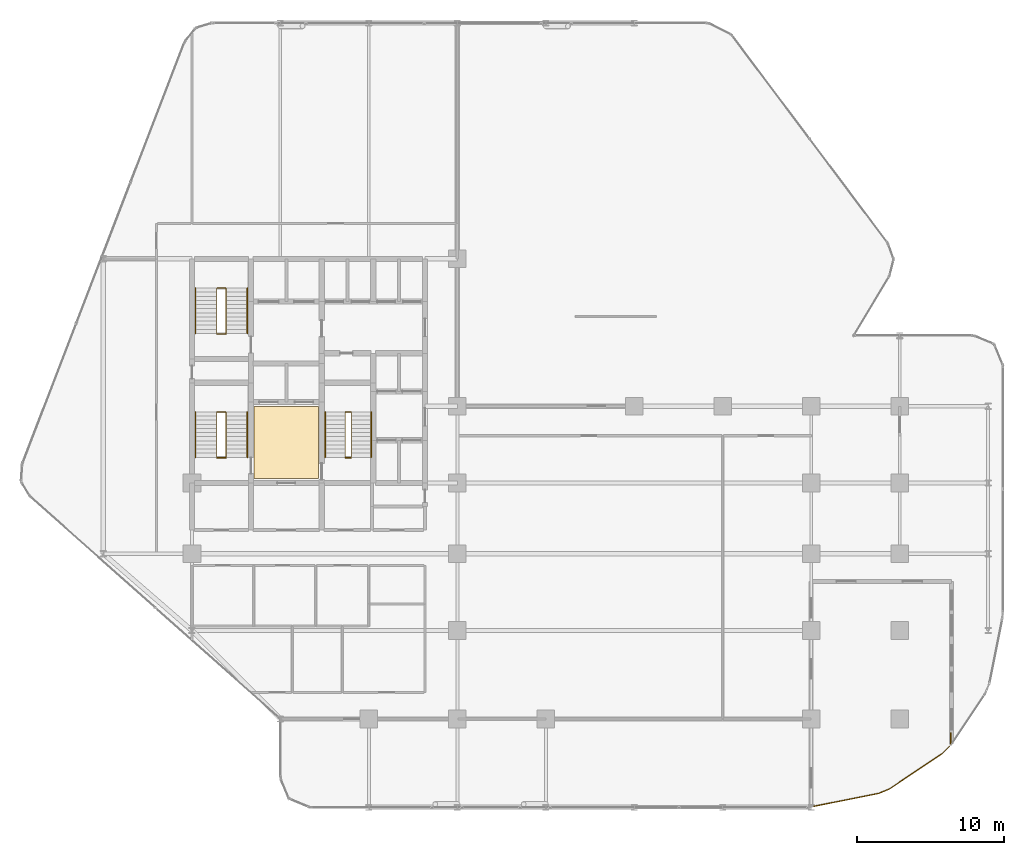
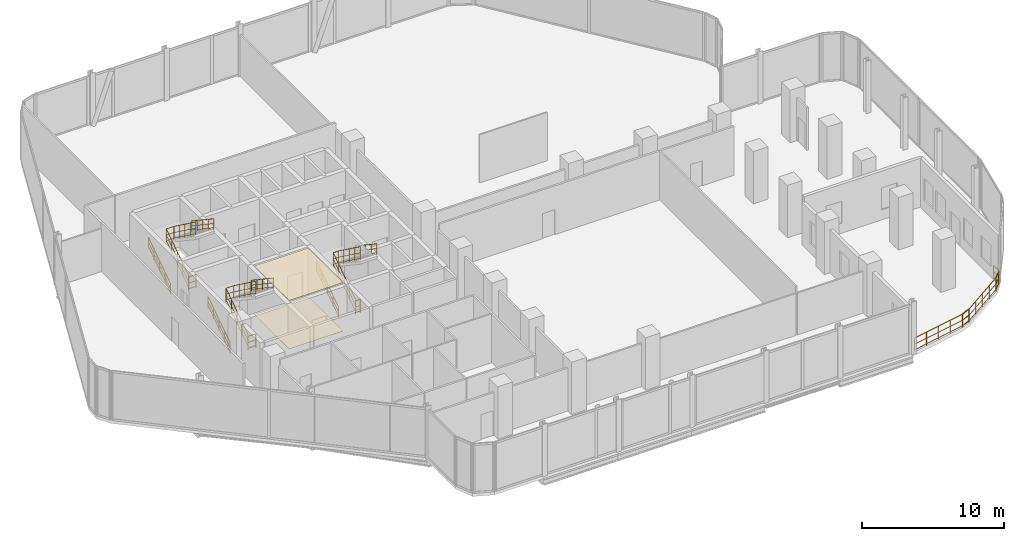
# One storey, part 30 of 30: 17 railings, 2 coverings.
"""IFC4 building model written with IfcOpenShell, lengths in metres."""

from ifc_helpers import new_model, si_unit, direction, frame, origin, origin_2d, place, context, subcontext, project, spatial, polyline, circle, outline, extrude, material, layer, layer_set, type_object, element, save


model = new_model("IFC4")

# Units and contexts
model_context = context("Model", 3, precision=1e-05, world=origin(), true_north=direction((0.0, 1.0)))
body_context = subcontext(model_context, "Body", "Model", "MODEL_VIEW")
ifc_project = project(units=[si_unit("LENGTHUNIT", "METRE"), si_unit("AREAUNIT", "SQUARE_METRE"), si_unit("VOLUMEUNIT", "CUBIC_METRE"), si_unit("PLANEANGLEUNIT", "RADIAN"), si_unit("MASSUNIT", "GRAM", prefix="KILO")], contexts=[model_context])

# Site, building, storey
site_placement = place(None, origin())
site = spatial("IfcSite", under=ifc_project, at=site_placement, CompositionType="ELEMENT")
building_placement = place(site_placement, origin())
building = spatial("IfcBuilding", under=site, at=building_placement, Name="Keshet Zoharim Tower", CompositionType="ELEMENT")
storey_placement = place(building_placement, frame((0.0, 0.0, 65.60009765625)))
storey = spatial("IfcBuildingStorey", under=building, at=storey_placement, Name="L15", CompositionType="ELEMENT", Elevation=65.60009765625)

# Coverings
ifc_material_1 = material(Name="Gypsum Plasterboard", Category="gypsum")
ifc_layer_1 = layer(ifc_material_1, 0.02490234375)
ifc_layer_set_1 = layer_set([ifc_layer_1], Name="Gypsum Plasterboard")
covering_type_1 = type_object("IfcCoveringType", Name="CV-CLG-025", PredefinedType="CEILING", material=ifc_layer_set_1)
covering_1_placement = place(storey_placement, frame((0.0, 0.0, 4.159912109375)))
element("IfcCovering", 1, at=covering_1_placement, inside=storey, type_object=covering_type_1, Name="L15 Core Lobby Acoustic Ceiling", PredefinedType="CEILING", context=body_context, shape_type="SweptSolid", body=[
    extrude(outline(polyline([(19.199951171875, 23.0), (23.60009765625, 23.0), (23.60009765625, 27.89990234375), (19.199951171875, 27.89990234375), (19.199951171875, 23.0)])), origin(), (0.0, 0.0, 1.0), 0.02490234375),
])
ifc_material_2 = material(Name="Porcelain Ceramic Tile", Category="ceramic")
ifc_layer_2 = layer(ifc_material_2, 0.02001953125)
ifc_layer_set_2 = layer_set([ifc_layer_2], Name="Porcelain Ceramic Tile")
covering_type_2 = type_object("IfcCoveringType", Name="CV-FLR-020", PredefinedType="FLOORING", material=ifc_layer_set_2)
covering_2_placement = place(storey_placement, origin())
element("IfcCovering", 2, at=covering_2_placement, inside=storey, type_object=covering_type_2, Name="L15 Core Lobby Porcelain Flooring", PredefinedType="FLOORING", context=body_context, shape_type="SweptSolid", body=[
    extrude(outline(polyline([(19.199951171875, 23.0), (23.60009765625, 23.0), (23.60009765625, 27.89990234375), (19.199951171875, 27.89990234375), (19.199951171875, 23.0)])), origin(), (0.0, 0.0, 1.0), 0.02001953125),
])

# Railings
ifc_material_3 = material(Name="Steel S355", Category="steel")
ifc_layer_3 = layer(ifc_material_3, 0.050048828125)
ifc_layer_set_3 = layer_set([ifc_layer_3], Name="Steel S355")
railing_type_1 = type_object("IfcRailingType", Name="RL-HND-092", PredefinedType="HANDRAIL", material=ifc_layer_set_3)
railing_1_placement = place(storey_placement, frame((15.239990234375, 24.43994140625, 0.1875)))
element("IfcRailing", 3, at=railing_1_placement, inside=storey, type_object=railing_type_1, Name="L15 ST-01 Flight 1 Wall Handrail", PredefinedType="HANDRAIL", context=body_context, shape_type="SweptSolid", body=[
    extrude(circle(Radius=0.02392578125, at=origin_2d()), frame((0.0, 0.0, 0.89599609375), z_axis=(0.0, 0.830913701846, 0.55640131208), x_axis=(-1.0, 0.0, 0.0)), (0.0, 0.0, 1.0), 3.706787109375),
    extrude(circle(Radius=0.01611328125, at=origin_2d()), frame((0.0, 0.0, 0.478271484375), z_axis=(0.0, 0.830913701846, 0.55640131208), x_axis=(-1.0, 0.0, 0.0)), (0.0, 0.0, 1.0), 3.706787109375),
    extrude(circle(Radius=0.01611328125, at=origin_2d()), frame((0.0, 0.0, 0.1201171875), z_axis=(0.0, 0.830913701846, 0.55640131208), x_axis=(-1.0, 0.0, 0.0)), (0.0, 0.0, 1.0), 3.706787109375),
    extrude(circle(Radius=0.02099609375, at=origin_2d()), origin(), (0.0, 0.0, 1.0), 0.871826171875),
    extrude(circle(Radius=0.02099609375, at=origin_2d()), frame((0.0, 0.77001953125, 0.515625)), (0.0, 0.0, 1.0), 0.871826171875),
    extrude(circle(Radius=0.02099609375, at=origin_2d()), frame((0.0, 1.5400390625, 1.03125)), (0.0, 0.0, 1.0), 0.871826171875),
    extrude(circle(Radius=0.02099609375, at=origin_2d()), frame((0.0, 2.31005859375, 1.546875)), (0.0, 0.0, 1.0), 0.871826171875),
    extrude(circle(Radius=0.02099609375, at=origin_2d()), frame((0.0, 3.080078125, 2.0625)), (0.0, 0.0, 1.0), 0.871826171875),
])
railing_2_placement = place(storey_placement, frame((18.760009765625, 27.52001953125, 2.4375)))
element("IfcRailing", 4, at=railing_2_placement, inside=storey, type_object=railing_type_1, Name="L15 ST-01 Flight 2 Wall Handrail", PredefinedType="HANDRAIL", context=body_context, shape_type="SweptSolid", body=[
    extrude(circle(Radius=0.02392578125, at=origin_2d()), frame((0.0, 0.0, 0.89599609375), z_axis=(0.0, -0.830913701846, 0.55640131208), x_axis=(1.0, 0.0, 0.0)), (0.0, 0.0, 1.0), 3.706787109375),
    extrude(circle(Radius=0.01611328125, at=origin_2d()), frame((0.0, 0.0, 0.478271484375), z_axis=(0.0, -0.830913701846, 0.55640131208), x_axis=(1.0, 0.0, 0.0)), (0.0, 0.0, 1.0), 3.706787109375),
    extrude(circle(Radius=0.01611328125, at=origin_2d()), frame((0.0, 0.0, 0.1201171875), z_axis=(0.0, -0.830913701846, 0.55640131208), x_axis=(1.0, 0.0, 0.0)), (0.0, 0.0, 1.0), 3.706787109375),
    extrude(circle(Radius=0.02099609375, at=origin_2d()), origin(), (0.0, 0.0, 1.0), 0.871826171875),
    extrude(circle(Radius=0.02099609375, at=origin_2d()), frame((0.0, -0.77001953125, 0.515625)), (0.0, 0.0, 1.0), 0.871826171875),
    extrude(circle(Radius=0.02099609375, at=origin_2d()), frame((0.0, -1.5400390625, 1.03125)), (0.0, 0.0, 1.0), 0.871826171875),
    extrude(circle(Radius=0.02099609375, at=origin_2d()), frame((0.0, -2.31005859375, 1.546875)), (0.0, 0.0, 1.0), 0.871826171875),
    extrude(circle(Radius=0.02099609375, at=origin_2d()), frame((0.0, -3.080078125, 2.0625)), (0.0, 0.0, 1.0), 0.871826171875),
])
railing_3_placement = place(storey_placement, frame((15.239990234375, 32.840087890625, 0.1875)))
element("IfcRailing", 5, at=railing_3_placement, inside=storey, type_object=railing_type_1, Name="L15 ST-02 Flight 1 Wall Handrail", PredefinedType="HANDRAIL", context=body_context, shape_type="SweptSolid", body=[
    extrude(circle(Radius=0.02392578125, at=origin_2d()), frame((0.0, 0.0, 0.89599609375), z_axis=(0.0, 0.830893310487, 0.556431762742), x_axis=(-1.0, 0.0, 0.0)), (0.0, 0.0, 1.0), 3.70654296875),
    extrude(circle(Radius=0.01611328125, at=origin_2d()), frame((0.0, 0.0, 0.478271484375), z_axis=(0.0, 0.830893310487, 0.556431762742), x_axis=(-1.0, 0.0, 0.0)), (0.0, 0.0, 1.0), 3.70654296875),
    extrude(circle(Radius=0.01611328125, at=origin_2d()), frame((0.0, 0.0, 0.1201171875), z_axis=(0.0, 0.830893310487, 0.556431762742), x_axis=(-1.0, 0.0, 0.0)), (0.0, 0.0, 1.0), 3.70654296875),
    extrude(circle(Radius=0.02099609375, at=origin_2d()), origin(), (0.0, 0.0, 1.0), 0.871826171875),
    extrude(circle(Radius=0.02099609375, at=origin_2d()), frame((0.0, 0.77001953125, 0.515625)), (0.0, 0.0, 1.0), 0.871826171875),
    extrude(circle(Radius=0.02099609375, at=origin_2d()), frame((0.0, 1.5400390625, 1.03125)), (0.0, 0.0, 1.0), 0.871826171875),
    extrude(circle(Radius=0.02099609375, at=origin_2d()), frame((0.0, 2.309814453125, 1.546875)), (0.0, 0.0, 1.0), 0.871826171875),
    extrude(circle(Radius=0.02099609375, at=origin_2d()), frame((0.0, 3.079833984375, 2.0625)), (0.0, 0.0, 1.0), 0.871826171875),
])
railing_4_placement = place(storey_placement, frame((18.760009765625, 35.919921875, 2.4375)))
element("IfcRailing", 6, at=railing_4_placement, inside=storey, type_object=railing_type_1, Name="L15 ST-02 Flight 2 Wall Handrail", PredefinedType="HANDRAIL", context=body_context, shape_type="SweptSolid", body=[
    extrude(circle(Radius=0.02392578125, at=origin_2d()), frame((0.0, 0.0, 0.89599609375), z_axis=(0.0, -0.830893310487, 0.556431762742), x_axis=(1.0, 0.0, 0.0)), (0.0, 0.0, 1.0), 3.70654296875),
    extrude(circle(Radius=0.01611328125, at=origin_2d()), frame((0.0, 0.0, 0.478271484375), z_axis=(0.0, -0.830893310487, 0.556431762742), x_axis=(1.0, 0.0, 0.0)), (0.0, 0.0, 1.0), 3.70654296875),
    extrude(circle(Radius=0.01611328125, at=origin_2d()), frame((0.0, 0.0, 0.1201171875), z_axis=(0.0, -0.830893310487, 0.556431762742), x_axis=(1.0, 0.0, 0.0)), (0.0, 0.0, 1.0), 3.70654296875),
    extrude(circle(Radius=0.02099609375, at=origin_2d()), origin(), (0.0, 0.0, 1.0), 0.871826171875),
    extrude(circle(Radius=0.02099609375, at=origin_2d()), frame((0.0, -0.77001953125, 0.515625)), (0.0, 0.0, 1.0), 0.871826171875),
    extrude(circle(Radius=0.02099609375, at=origin_2d()), frame((0.0, -1.5400390625, 1.03125)), (0.0, 0.0, 1.0), 0.871826171875),
    extrude(circle(Radius=0.02099609375, at=origin_2d()), frame((0.0, -2.309814453125, 1.546875)), (0.0, 0.0, 1.0), 0.871826171875),
    extrude(circle(Radius=0.02099609375, at=origin_2d()), frame((0.0, -3.079833984375, 2.0625)), (0.0, 0.0, 1.0), 0.871826171875),
])
railing_5_placement = place(storey_placement, frame((24.0400390625, 24.43994140625, 0.1875)))
element("IfcRailing", 7, at=railing_5_placement, inside=storey, type_object=railing_type_1, Name="L15 ST-03 Flight 1 Wall Handrail", PredefinedType="HANDRAIL", context=body_context, shape_type="SweptSolid", body=[
    extrude(circle(Radius=0.02392578125, at=origin_2d()), frame((0.0, 0.0, 0.89599609375), z_axis=(0.0, 0.830913701846, 0.55640131208), x_axis=(-1.0, 0.0, 0.0)), (0.0, 0.0, 1.0), 3.706787109375),
    extrude(circle(Radius=0.01611328125, at=origin_2d()), frame((0.0, 0.0, 0.478271484375), z_axis=(0.0, 0.830913701846, 0.55640131208), x_axis=(-1.0, 0.0, 0.0)), (0.0, 0.0, 1.0), 3.706787109375),
    extrude(circle(Radius=0.01611328125, at=origin_2d()), frame((0.0, 0.0, 0.1201171875), z_axis=(0.0, 0.830913701846, 0.55640131208), x_axis=(-1.0, 0.0, 0.0)), (0.0, 0.0, 1.0), 3.706787109375),
    extrude(circle(Radius=0.02099609375, at=origin_2d()), origin(), (0.0, 0.0, 1.0), 0.871826171875),
    extrude(circle(Radius=0.02099609375, at=origin_2d()), frame((0.0, 0.77001953125, 0.515625)), (0.0, 0.0, 1.0), 0.871826171875),
    extrude(circle(Radius=0.02099609375, at=origin_2d()), frame((0.0, 1.5400390625, 1.03125)), (0.0, 0.0, 1.0), 0.871826171875),
    extrude(circle(Radius=0.02099609375, at=origin_2d()), frame((0.0, 2.31005859375, 1.546875)), (0.0, 0.0, 1.0), 0.871826171875),
    extrude(circle(Radius=0.02099609375, at=origin_2d()), frame((0.0, 3.080078125, 2.0625)), (0.0, 0.0, 1.0), 0.871826171875),
])
railing_6_placement = place(storey_placement, frame((27.159912109375, 27.52001953125, 2.4375)))
element("IfcRailing", 8, at=railing_6_placement, inside=storey, type_object=railing_type_1, Name="L15 ST-03 Flight 2 Wall Handrail", PredefinedType="HANDRAIL", context=body_context, shape_type="SweptSolid", body=[
    extrude(circle(Radius=0.02392578125, at=origin_2d()), frame((0.0, 0.0, 0.89599609375), z_axis=(0.0, -0.830913701846, 0.55640131208), x_axis=(1.0, 0.0, 0.0)), (0.0, 0.0, 1.0), 3.706787109375),
    extrude(circle(Radius=0.01611328125, at=origin_2d()), frame((0.0, 0.0, 0.478271484375), z_axis=(0.0, -0.830913701846, 0.55640131208), x_axis=(1.0, 0.0, 0.0)), (0.0, 0.0, 1.0), 3.706787109375),
    extrude(circle(Radius=0.01611328125, at=origin_2d()), frame((0.0, 0.0, 0.1201171875), z_axis=(0.0, -0.830913701846, 0.55640131208), x_axis=(1.0, 0.0, 0.0)), (0.0, 0.0, 1.0), 3.706787109375),
    extrude(circle(Radius=0.02099609375, at=origin_2d()), origin(), (0.0, 0.0, 1.0), 0.871826171875),
    extrude(circle(Radius=0.02099609375, at=origin_2d()), frame((0.0, -0.77001953125, 0.515625)), (0.0, 0.0, 1.0), 0.871826171875),
    extrude(circle(Radius=0.02099609375, at=origin_2d()), frame((0.0, -1.5400390625, 1.03125)), (0.0, 0.0, 1.0), 0.871826171875),
    extrude(circle(Radius=0.02099609375, at=origin_2d()), frame((0.0, -2.31005859375, 1.546875)), (0.0, 0.0, 1.0), 0.871826171875),
    extrude(circle(Radius=0.02099609375, at=origin_2d()), frame((0.0, -3.080078125, 2.0625)), (0.0, 0.0, 1.0), 0.871826171875),
])
ifc_layer_4 = layer(ifc_material_3, 0.06005859375)
ifc_layer_set_4 = layer_set([ifc_layer_4], Name="Steel S355")
railing_type_2 = type_object("IfcRailingType", Name="RL-STG-115", PredefinedType="GUARDRAIL", material=ifc_layer_set_4)
railing_7_placement = place(storey_placement, frame((16.68994140625, 24.43994140625, 0.1875)))
element("IfcRailing", 9, at=railing_7_placement, inside=storey, type_object=railing_type_2, Name="L15 ST-01 Inner Well Guardrail", PredefinedType="GUARDRAIL", context=body_context, shape_type="SweptSolid", body=[
    extrude(circle(Radius=0.02392578125, at=origin_2d()), frame((0.0, 0.0, 1.1259765625), z_axis=(0.0, 0.830913701846, 0.55640131208), x_axis=(-1.0, 0.0, 0.0)), (0.0, 0.0, 1.0), 3.706787109375),
    extrude(circle(Radius=0.01611328125, at=origin_2d()), frame((0.0, 0.0, 0.597900390625), z_axis=(0.0, 0.830913701846, 0.55640131208), x_axis=(-1.0, 0.0, 0.0)), (0.0, 0.0, 1.0), 3.706787109375),
    extrude(circle(Radius=0.01611328125, at=origin_2d()), frame((0.0, 0.0, 0.1201171875), z_axis=(0.0, 0.830913701846, 0.55640131208), x_axis=(-1.0, 0.0, 0.0)), (0.0, 0.0, 1.0), 3.706787109375),
    extrude(circle(Radius=0.02392578125, at=origin_2d()), frame((0.0, 3.080078125, 3.1884765625), z_axis=(1.0, 0.0, 0.0), x_axis=(0.0, 1.0, 0.0)), (0.0, 0.0, 1.0), 0.6201171875),
    extrude(circle(Radius=0.01611328125, at=origin_2d()), frame((0.0, 3.080078125, 2.660400390625), z_axis=(1.0, 0.0, 0.0), x_axis=(0.0, 1.0, 0.0)), (0.0, 0.0, 1.0), 0.6201171875),
    extrude(circle(Radius=0.01611328125, at=origin_2d()), frame((0.0, 3.080078125, 2.1826171875), z_axis=(1.0, 0.0, 0.0), x_axis=(0.0, 1.0, 0.0)), (0.0, 0.0, 1.0), 0.6201171875),
    extrude(circle(Radius=0.02392578125, at=origin_2d()), frame((0.6201171875, 3.080078125, 3.1884765625), z_axis=(0.0, -0.807494308864, 0.589875360692), x_axis=(1.0, 0.0, 0.0)), (0.0, 0.0, 1.0), 3.814453125),
    extrude(circle(Radius=0.01611328125, at=origin_2d()), frame((0.6201171875, 3.080078125, 2.660400390625), z_axis=(0.0, -0.807494308864, 0.589875360692), x_axis=(1.0, 0.0, 0.0)), (0.0, 0.0, 1.0), 3.814453125),
    extrude(circle(Radius=0.01611328125, at=origin_2d()), frame((0.6201171875, 3.080078125, 2.1826171875), z_axis=(0.0, -0.807494308864, 0.589875360692), x_axis=(1.0, 0.0, 0.0)), (0.0, 0.0, 1.0), 3.814453125),
    extrude(circle(Radius=0.02099609375, at=origin_2d()), origin(), (0.0, 0.0, 1.0), 1.101806640625),
    extrude(circle(Radius=0.02099609375, at=origin_2d()), frame((0.0, 0.77001953125, 0.515625)), (0.0, 0.0, 1.0), 1.101806640625),
    extrude(circle(Radius=0.02099609375, at=origin_2d()), frame((0.0, 1.5400390625, 1.03125)), (0.0, 0.0, 1.0), 1.101806640625),
    extrude(circle(Radius=0.02099609375, at=origin_2d()), frame((0.0, 2.31005859375, 1.546875)), (0.0, 0.0, 1.0), 1.101806640625),
    extrude(circle(Radius=0.02099609375, at=origin_2d()), frame((0.0, 3.080078125, 2.0625)), (0.0, 0.0, 1.0), 1.101806640625),
    extrude(circle(Radius=0.02099609375, at=origin_2d()), frame((0.6201171875, 3.080078125, 2.0625)), (0.0, 0.0, 1.0), 1.101806640625),
    extrude(circle(Radius=0.02099609375, at=origin_2d()), frame((0.6201171875, 2.31005859375, 2.625)), (0.0, 0.0, 1.0), 1.101806640625),
    extrude(circle(Radius=0.02099609375, at=origin_2d()), frame((0.6201171875, 1.5400390625, 3.1875)), (0.0, 0.0, 1.0), 1.101806640625),
    extrude(circle(Radius=0.02099609375, at=origin_2d()), frame((0.6201171875, 0.77001953125, 3.75)), (0.0, 0.0, 1.0), 1.101806640625),
    extrude(circle(Radius=0.02099609375, at=origin_2d()), frame((0.6201171875, 0.0, 4.3125)), (0.0, 0.0, 1.0), 1.101806640625),
])
railing_8_placement = place(storey_placement, frame((16.68994140625, 24.409912109375, 0.0)))
element("IfcRailing", 10, at=railing_8_placement, inside=storey, type_object=railing_type_2, Name="L15 ST-01 Stairwell Floor Guardrail", PredefinedType="GUARDRAIL", context=body_context, shape_type="SweptSolid", body=[
    extrude(circle(Radius=0.02392578125, at=origin_2d()), frame((0.0, 0.0, 1.1259765625), z_axis=(1.0, 0.0, 0.0), x_axis=(0.0, 1.0, 0.0)), (0.0, 0.0, 1.0), 0.6201171875),
    extrude(circle(Radius=0.01611328125, at=origin_2d()), frame((0.0, 0.0, 0.597900390625), z_axis=(1.0, 0.0, 0.0), x_axis=(0.0, 1.0, 0.0)), (0.0, 0.0, 1.0), 0.6201171875),
    extrude(circle(Radius=0.01611328125, at=origin_2d()), frame((0.0, 0.0, 0.1201171875), z_axis=(1.0, 0.0, 0.0), x_axis=(0.0, 1.0, 0.0)), (0.0, 0.0, 1.0), 0.6201171875),
    extrude(circle(Radius=0.02099609375, at=origin_2d()), origin(), (0.0, 0.0, 1.0), 1.101806640625),
    extrude(circle(Radius=0.02099609375, at=origin_2d()), frame((0.6201171875, 0.0, 0.0)), (0.0, 0.0, 1.0), 1.101806640625),
])
railing_9_placement = place(storey_placement, frame((16.68994140625, 32.840087890625, 0.1875)))
element("IfcRailing", 11, at=railing_9_placement, inside=storey, type_object=railing_type_2, Name="L15 ST-02 Inner Well Guardrail", PredefinedType="GUARDRAIL", context=body_context, shape_type="SweptSolid", body=[
    extrude(circle(Radius=0.02392578125, at=origin_2d()), frame((0.0, 0.0, 1.1259765625), z_axis=(0.0, 0.830893310487, 0.556431762742), x_axis=(-1.0, 0.0, 0.0)), (0.0, 0.0, 1.0), 3.70654296875),
    extrude(circle(Radius=0.01611328125, at=origin_2d()), frame((0.0, 0.0, 0.597900390625), z_axis=(0.0, 0.830893310487, 0.556431762742), x_axis=(-1.0, 0.0, 0.0)), (0.0, 0.0, 1.0), 3.70654296875),
    extrude(circle(Radius=0.01611328125, at=origin_2d()), frame((0.0, 0.0, 0.1201171875), z_axis=(0.0, 0.830893310487, 0.556431762742), x_axis=(-1.0, 0.0, 0.0)), (0.0, 0.0, 1.0), 3.70654296875),
    extrude(circle(Radius=0.02392578125, at=origin_2d()), frame((0.0, 3.079833984375, 3.1884765625), z_axis=(1.0, 0.0, 0.0), x_axis=(0.0, 1.0, 0.0)), (0.0, 0.0, 1.0), 0.6201171875),
    extrude(circle(Radius=0.01611328125, at=origin_2d()), frame((0.0, 3.079833984375, 2.660400390625), z_axis=(1.0, 0.0, 0.0), x_axis=(0.0, 1.0, 0.0)), (0.0, 0.0, 1.0), 0.6201171875),
    extrude(circle(Radius=0.01611328125, at=origin_2d()), frame((0.0, 3.079833984375, 2.1826171875), z_axis=(1.0, 0.0, 0.0), x_axis=(0.0, 1.0, 0.0)), (0.0, 0.0, 1.0), 0.6201171875),
    extrude(circle(Radius=0.02392578125, at=origin_2d()), frame((0.6201171875, 3.079833984375, 3.1884765625), z_axis=(0.0, -0.80747203621, 0.589905849046), x_axis=(1.0, 0.0, 0.0)), (0.0, 0.0, 1.0), 3.814208984375),
    extrude(circle(Radius=0.01611328125, at=origin_2d()), frame((0.6201171875, 3.079833984375, 2.660400390625), z_axis=(0.0, -0.80747203621, 0.589905849046), x_axis=(1.0, 0.0, 0.0)), (0.0, 0.0, 1.0), 3.814208984375),
    extrude(circle(Radius=0.01611328125, at=origin_2d()), frame((0.6201171875, 3.079833984375, 2.1826171875), z_axis=(0.0, -0.80747203621, 0.589905849046), x_axis=(1.0, 0.0, 0.0)), (0.0, 0.0, 1.0), 3.814208984375),
    extrude(circle(Radius=0.02099609375, at=origin_2d()), origin(), (0.0, 0.0, 1.0), 1.101806640625),
    extrude(circle(Radius=0.02099609375, at=origin_2d()), frame((0.0, 0.77001953125, 0.515625)), (0.0, 0.0, 1.0), 1.101806640625),
    extrude(circle(Radius=0.02099609375, at=origin_2d()), frame((0.0, 1.5400390625, 1.03125)), (0.0, 0.0, 1.0), 1.101806640625),
    extrude(circle(Radius=0.02099609375, at=origin_2d()), frame((0.0, 2.309814453125, 1.546875)), (0.0, 0.0, 1.0), 1.101806640625),
    extrude(circle(Radius=0.02099609375, at=origin_2d()), frame((0.0, 3.079833984375, 2.0625)), (0.0, 0.0, 1.0), 1.101806640625),
    extrude(circle(Radius=0.02099609375, at=origin_2d()), frame((0.6201171875, 3.079833984375, 2.0625)), (0.0, 0.0, 1.0), 1.101806640625),
    extrude(circle(Radius=0.02099609375, at=origin_2d()), frame((0.6201171875, 2.309814453125, 2.625)), (0.0, 0.0, 1.0), 1.101806640625),
    extrude(circle(Radius=0.02099609375, at=origin_2d()), frame((0.6201171875, 1.5400390625, 3.1875)), (0.0, 0.0, 1.0), 1.101806640625),
    extrude(circle(Radius=0.02099609375, at=origin_2d()), frame((0.6201171875, 0.77001953125, 3.75)), (0.0, 0.0, 1.0), 1.101806640625),
    extrude(circle(Radius=0.02099609375, at=origin_2d()), frame((0.6201171875, 0.0, 4.3125)), (0.0, 0.0, 1.0), 1.101806640625),
])
railing_10_placement = place(storey_placement, frame((16.68994140625, 32.81005859375, 0.0)))
element("IfcRailing", 12, at=railing_10_placement, inside=storey, type_object=railing_type_2, Name="L15 ST-02 Stairwell Floor Guardrail", PredefinedType="GUARDRAIL", context=body_context, shape_type="SweptSolid", body=[
    extrude(circle(Radius=0.02392578125, at=origin_2d()), frame((0.0, 0.0, 1.1259765625), z_axis=(1.0, 0.0, 0.0), x_axis=(0.0, 1.0, 0.0)), (0.0, 0.0, 1.0), 0.6201171875),
    extrude(circle(Radius=0.01611328125, at=origin_2d()), frame((0.0, 0.0, 0.597900390625), z_axis=(1.0, 0.0, 0.0), x_axis=(0.0, 1.0, 0.0)), (0.0, 0.0, 1.0), 0.6201171875),
    extrude(circle(Radius=0.01611328125, at=origin_2d()), frame((0.0, 0.0, 0.1201171875), z_axis=(1.0, 0.0, 0.0), x_axis=(0.0, 1.0, 0.0)), (0.0, 0.0, 1.0), 0.6201171875),
    extrude(circle(Radius=0.02099609375, at=origin_2d()), origin(), (0.0, 0.0, 1.0), 1.101806640625),
    extrude(circle(Radius=0.02099609375, at=origin_2d()), frame((0.6201171875, 0.0, 0.0)), (0.0, 0.0, 1.0), 1.101806640625),
])
railing_11_placement = place(storey_placement, frame((25.39990234375, 24.43994140625, 0.1875)))
element("IfcRailing", 13, at=railing_11_placement, inside=storey, type_object=railing_type_2, Name="L15 ST-03 Inner Well Guardrail", PredefinedType="GUARDRAIL", context=body_context, shape_type="SweptSolid", body=[
    extrude(circle(Radius=0.02392578125, at=origin_2d()), frame((0.0, 0.0, 1.1259765625), z_axis=(0.0, 0.830913701846, 0.55640131208), x_axis=(-1.0, 0.0, 0.0)), (0.0, 0.0, 1.0), 3.706787109375),
    extrude(circle(Radius=0.01611328125, at=origin_2d()), frame((0.0, 0.0, 0.597900390625), z_axis=(0.0, 0.830913701846, 0.55640131208), x_axis=(-1.0, 0.0, 0.0)), (0.0, 0.0, 1.0), 3.706787109375),
    extrude(circle(Radius=0.01611328125, at=origin_2d()), frame((0.0, 0.0, 0.1201171875), z_axis=(0.0, 0.830913701846, 0.55640131208), x_axis=(-1.0, 0.0, 0.0)), (0.0, 0.0, 1.0), 3.706787109375),
    extrude(circle(Radius=0.02392578125, at=origin_2d()), frame((0.0, 3.080078125, 3.1884765625), z_axis=(1.0, 0.0, 0.0), x_axis=(0.0, 1.0, 0.0)), (0.0, 0.0, 1.0), 0.400146484375),
    extrude(circle(Radius=0.01611328125, at=origin_2d()), frame((0.0, 3.080078125, 2.660400390625), z_axis=(1.0, 0.0, 0.0), x_axis=(0.0, 1.0, 0.0)), (0.0, 0.0, 1.0), 0.400146484375),
    extrude(circle(Radius=0.01611328125, at=origin_2d()), frame((0.0, 3.080078125, 2.1826171875), z_axis=(1.0, 0.0, 0.0), x_axis=(0.0, 1.0, 0.0)), (0.0, 0.0, 1.0), 0.400146484375),
    extrude(circle(Radius=0.02392578125, at=origin_2d()), frame((0.400146484375, 3.080078125, 3.1884765625), z_axis=(0.0, -0.807494308864, 0.589875360692), x_axis=(1.0, 0.0, 0.0)), (0.0, 0.0, 1.0), 3.814453125),
    extrude(circle(Radius=0.01611328125, at=origin_2d()), frame((0.400146484375, 3.080078125, 2.660400390625), z_axis=(0.0, -0.807494308864, 0.589875360692), x_axis=(1.0, 0.0, 0.0)), (0.0, 0.0, 1.0), 3.814453125),
    extrude(circle(Radius=0.01611328125, at=origin_2d()), frame((0.400146484375, 3.080078125, 2.1826171875), z_axis=(0.0, -0.807494308864, 0.589875360692), x_axis=(1.0, 0.0, 0.0)), (0.0, 0.0, 1.0), 3.814453125),
    extrude(circle(Radius=0.02099609375, at=origin_2d()), origin(), (0.0, 0.0, 1.0), 1.101806640625),
    extrude(circle(Radius=0.02099609375, at=origin_2d()), frame((0.0, 0.77001953125, 0.515625)), (0.0, 0.0, 1.0), 1.101806640625),
    extrude(circle(Radius=0.02099609375, at=origin_2d()), frame((0.0, 1.5400390625, 1.03125)), (0.0, 0.0, 1.0), 1.101806640625),
    extrude(circle(Radius=0.02099609375, at=origin_2d()), frame((0.0, 2.31005859375, 1.546875)), (0.0, 0.0, 1.0), 1.101806640625),
    extrude(circle(Radius=0.02099609375, at=origin_2d()), frame((0.0, 3.080078125, 2.0625)), (0.0, 0.0, 1.0), 1.101806640625),
    extrude(circle(Radius=0.02099609375, at=origin_2d()), frame((0.400146484375, 3.080078125, 2.0625)), (0.0, 0.0, 1.0), 1.101806640625),
    extrude(circle(Radius=0.02099609375, at=origin_2d()), frame((0.400146484375, 2.31005859375, 2.625)), (0.0, 0.0, 1.0), 1.101806640625),
    extrude(circle(Radius=0.02099609375, at=origin_2d()), frame((0.400146484375, 1.5400390625, 3.1875)), (0.0, 0.0, 1.0), 1.101806640625),
    extrude(circle(Radius=0.02099609375, at=origin_2d()), frame((0.400146484375, 0.77001953125, 3.75)), (0.0, 0.0, 1.0), 1.101806640625),
    extrude(circle(Radius=0.02099609375, at=origin_2d()), frame((0.400146484375, 0.0, 4.3125)), (0.0, 0.0, 1.0), 1.101806640625),
])
railing_12_placement = place(storey_placement, frame((25.39990234375, 24.409912109375, 0.0)))
element("IfcRailing", 14, at=railing_12_placement, inside=storey, type_object=railing_type_2, Name="L15 ST-03 Stairwell Floor Guardrail", PredefinedType="GUARDRAIL", context=body_context, shape_type="SweptSolid", body=[
    extrude(circle(Radius=0.02392578125, at=origin_2d()), frame((0.0, 0.0, 1.1259765625), z_axis=(1.0, 0.0, 0.0), x_axis=(0.0, 1.0, 0.0)), (0.0, 0.0, 1.0), 0.400146484375),
    extrude(circle(Radius=0.01611328125, at=origin_2d()), frame((0.0, 0.0, 0.597900390625), z_axis=(1.0, 0.0, 0.0), x_axis=(0.0, 1.0, 0.0)), (0.0, 0.0, 1.0), 0.400146484375),
    extrude(circle(Radius=0.01611328125, at=origin_2d()), frame((0.0, 0.0, 0.1201171875), z_axis=(1.0, 0.0, 0.0), x_axis=(0.0, 1.0, 0.0)), (0.0, 0.0, 1.0), 0.400146484375),
    extrude(circle(Radius=0.02099609375, at=origin_2d()), origin(), (0.0, 0.0, 1.0), 1.101806640625),
    extrude(circle(Radius=0.02099609375, at=origin_2d()), frame((0.400146484375, 0.0, 0.0)), (0.0, 0.0, 1.0), 1.101806640625),
])
ifc_layer_5 = layer(ifc_material_3, 0.070068359375)
ifc_layer_set_5 = layer_set([ifc_layer_5], Name="Steel S355")
railing_type_3 = type_object("IfcRailingType", Name="RL-TER-115", PredefinedType="GUARDRAIL", material=ifc_layer_set_5)
railing_13_placement = place(storey_placement, frame((66.4599609375, 5.743896484375, 0.0)))
element("IfcRailing", 15, at=railing_13_placement, inside=storey, type_object=railing_type_3, Name="L15 Terrace Perimeter Guardrail 01", PredefinedType="GUARDRAIL", context=body_context, shape_type="SweptSolid", body=[
    extrude(circle(Radius=0.02392578125, at=origin_2d()), frame((0.0, 0.0, 1.1259765625), z_axis=(0.0, -1.0, 0.0), x_axis=(1.0, 0.0, 0.0)), (0.0, 0.0, 1.0), 0.763916015625),
    extrude(circle(Radius=0.01611328125, at=origin_2d()), frame((0.0, 0.0, 0.597900390625), z_axis=(0.0, -1.0, 0.0), x_axis=(1.0, 0.0, 0.0)), (0.0, 0.0, 1.0), 0.763916015625),
    extrude(circle(Radius=0.01611328125, at=origin_2d()), frame((0.0, 0.0, 0.1201171875), z_axis=(0.0, -1.0, 0.0), x_axis=(1.0, 0.0, 0.0)), (0.0, 0.0, 1.0), 0.763916015625),
    extrude(circle(Radius=0.02099609375, at=origin_2d()), origin(), (0.0, 0.0, 1.0), 1.101806640625),
    extrude(circle(Radius=0.02099609375, at=origin_2d()), frame((0.0, -0.763916015625, 0.0)), (0.0, 0.0, 1.0), 1.101806640625),
])
railing_14_placement = place(storey_placement, frame((66.382080078125, 4.863037109375, 0.0)))
element("IfcRailing", 16, at=railing_14_placement, inside=storey, type_object=railing_type_3, Name="L15 Terrace Perimeter Guardrail 02", PredefinedType="GUARDRAIL", context=body_context, shape_type="SweptSolid", body=[
    extrude(circle(Radius=0.02392578125, at=origin_2d()), frame((0.0, 0.0, 1.1259765625), z_axis=(-0.707265130029, -0.706948396876, 0.0), x_axis=(0.706948396876, -0.707265130029, 0.0)), (0.0, 0.0, 1.0), 0.770751953125),
    extrude(circle(Radius=0.01611328125, at=origin_2d()), frame((0.0, 0.0, 0.597900390625), z_axis=(-0.707265130029, -0.706948396876, 0.0), x_axis=(0.706948396876, -0.707265130029, 0.0)), (0.0, 0.0, 1.0), 0.770751953125),
    extrude(circle(Radius=0.01611328125, at=origin_2d()), frame((0.0, 0.0, 0.1201171875), z_axis=(-0.707265130029, -0.706948396876, 0.0), x_axis=(0.706948396876, -0.707265130029, 0.0)), (0.0, 0.0, 1.0), 0.770751953125),
    extrude(circle(Radius=0.02099609375, at=origin_2d()), origin(), (0.0, 0.0, 1.0), 1.101806640625),
    extrude(circle(Radius=0.02099609375, at=origin_2d()), frame((-0.545166015625, -0.544921875, 0.0)), (0.0, 0.0, 1.0), 1.101806640625),
])
railing_15_placement = place(storey_placement, frame((65.8369140625, 4.318115234375, 0.0)))
element("IfcRailing", 17, at=railing_15_placement, inside=storey, type_object=railing_type_3, Name="L15 Terrace Perimeter Guardrail 03", PredefinedType="GUARDRAIL", context=body_context, shape_type="SweptSolid", body=[
    extrude(circle(Radius=0.02392578125, at=origin_2d()), frame((0.0, 0.0, 1.1259765625), z_axis=(-0.83145158056, -0.555597218481, 0.0), x_axis=(0.555597218481, -0.83145158056, 0.0)), (0.0, 0.0, 1.0), 4.269287109375),
    extrude(circle(Radius=0.01611328125, at=origin_2d()), frame((0.0, 0.0, 0.597900390625), z_axis=(-0.83145158056, -0.555597218481, 0.0), x_axis=(0.555597218481, -0.83145158056, 0.0)), (0.0, 0.0, 1.0), 4.269287109375),
    extrude(circle(Radius=0.01611328125, at=origin_2d()), frame((0.0, 0.0, 0.1201171875), z_axis=(-0.83145158056, -0.555597218481, 0.0), x_axis=(0.555597218481, -0.83145158056, 0.0)), (0.0, 0.0, 1.0), 4.269287109375),
    extrude(circle(Radius=0.02099609375, at=origin_2d()), origin(), (0.0, 0.0, 1.0), 1.101806640625),
    extrude(circle(Radius=0.02099609375, at=origin_2d()), frame((-0.887451171875, -0.593017578125, 0.0)), (0.0, 0.0, 1.0), 1.101806640625),
    extrude(circle(Radius=0.02099609375, at=origin_2d()), frame((-1.77490234375, -1.18603515625, 0.0)), (0.0, 0.0, 1.0), 1.101806640625),
    extrude(circle(Radius=0.02099609375, at=origin_2d()), frame((-2.662353515625, -1.779052734375, 0.0)), (0.0, 0.0, 1.0), 1.101806640625),
    extrude(circle(Radius=0.02099609375, at=origin_2d()), frame((-3.5498046875, -2.3720703125, 0.0)), (0.0, 0.0, 1.0), 1.101806640625),
])
railing_16_placement = place(storey_placement, frame((62.287109375, 1.946044921875, 0.0)))
element("IfcRailing", 18, at=railing_16_placement, inside=storey, type_object=railing_type_3, Name="L15 Terrace Perimeter Guardrail 04", PredefinedType="GUARDRAIL", context=body_context, shape_type="SweptSolid", body=[
    extrude(circle(Radius=0.02392578125, at=origin_2d()), frame((0.0, 0.0, 1.1259765625), z_axis=(-0.923720310529, -0.383067602281, 0.0), x_axis=(0.383067602281, -0.923720310529, 0.0)), (0.0, 0.0, 1.0), 0.773193359375),
    extrude(circle(Radius=0.01611328125, at=origin_2d()), frame((0.0, 0.0, 0.597900390625), z_axis=(-0.923720310529, -0.383067602281, 0.0), x_axis=(0.383067602281, -0.923720310529, 0.0)), (0.0, 0.0, 1.0), 0.773193359375),
    extrude(circle(Radius=0.01611328125, at=origin_2d()), frame((0.0, 0.0, 0.1201171875), z_axis=(-0.923720310529, -0.383067602281, 0.0), x_axis=(0.383067602281, -0.923720310529, 0.0)), (0.0, 0.0, 1.0), 0.773193359375),
    extrude(circle(Radius=0.02099609375, at=origin_2d()), origin(), (0.0, 0.0, 1.0), 1.101806640625),
    extrude(circle(Radius=0.02099609375, at=origin_2d()), frame((-0.714111328125, -0.296142578125, 0.0)), (0.0, 0.0, 1.0), 1.101806640625),
])
railing_17_placement = place(storey_placement, frame((61.572998046875, 1.64990234375, 0.0)))
element("IfcRailing", 19, at=railing_17_placement, inside=storey, type_object=railing_type_3, Name="L15 Terrace Perimeter Guardrail 05", PredefinedType="GUARDRAIL", context=body_context, shape_type="SweptSolid", body=[
    extrude(circle(Radius=0.02392578125, at=origin_2d()), frame((0.0, 0.0, 1.1259765625), z_axis=(-0.980810977203, -0.194961090987, 0.0), x_axis=(0.194961090987, -0.980810977203, 0.0)), (0.0, 0.0, 1.0), 4.4716796875),
    extrude(circle(Radius=0.01611328125, at=origin_2d()), frame((0.0, 0.0, 0.597900390625), z_axis=(-0.980810977203, -0.194961090987, 0.0), x_axis=(0.194961090987, -0.980810977203, 0.0)), (0.0, 0.0, 1.0), 4.4716796875),
    extrude(circle(Radius=0.01611328125, at=origin_2d()), frame((0.0, 0.0, 0.1201171875), z_axis=(-0.980810977203, -0.194961090987, 0.0), x_axis=(0.194961090987, -0.980810977203, 0.0)), (0.0, 0.0, 1.0), 4.4716796875),
    extrude(circle(Radius=0.02099609375, at=origin_2d()), origin(), (0.0, 0.0, 1.0), 1.101806640625),
    extrude(circle(Radius=0.02099609375, at=origin_2d()), frame((-1.096435546875, -0.218017578125, 0.0)), (0.0, 0.0, 1.0), 1.101806640625),
    extrude(circle(Radius=0.02099609375, at=origin_2d()), frame((-2.19287109375, -0.43603515625, 0.0)), (0.0, 0.0, 1.0), 1.101806640625),
    extrude(circle(Radius=0.02099609375, at=origin_2d()), frame((-3.28955078125, -0.65380859375, 0.0)), (0.0, 0.0, 1.0), 1.101806640625),
    extrude(circle(Radius=0.02099609375, at=origin_2d()), frame((-4.385986328125, -0.871826171875, 0.0)), (0.0, 0.0, 1.0), 1.101806640625),
])

save(model, "model.ifc")
